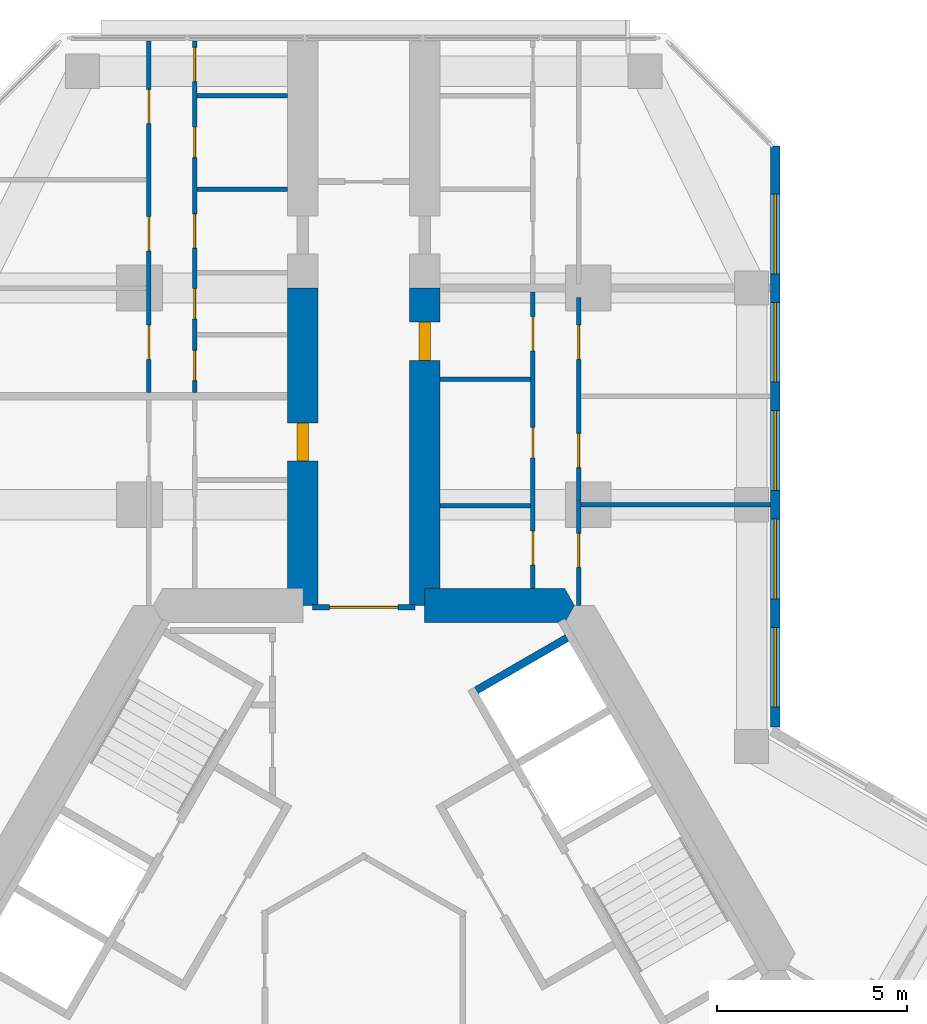
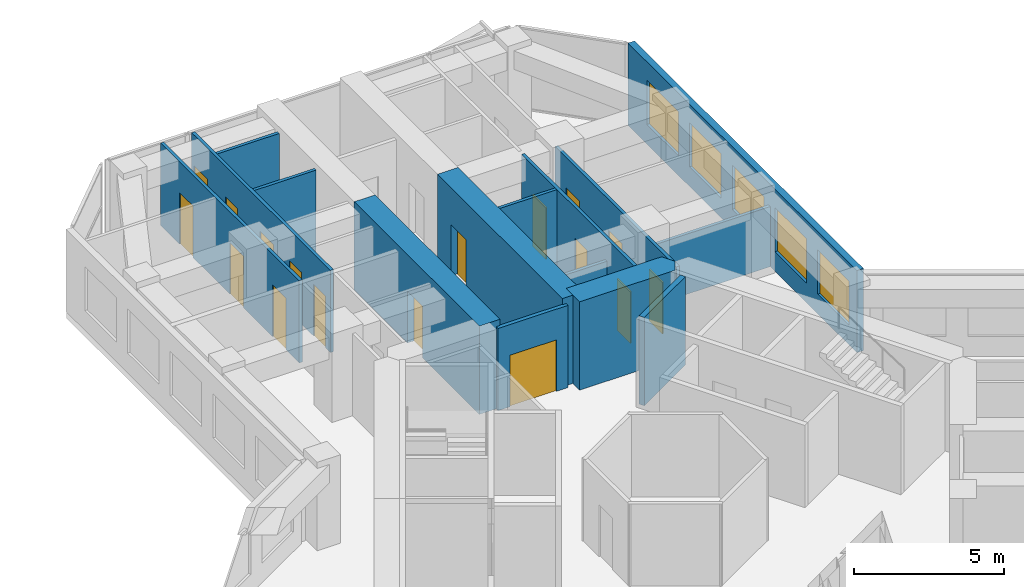
# One storey, part 17 of 19: 17 doors, 15 walls, 5 windows, 22 openings.
"""IFC4 building model written with IfcOpenShell, lengths in metres."""

from ifc_helpers import new_model, si_unit, direction, frame, frame_2d, origin, place, context, subcontext, project, spatial, polyline, rectangle, outline, extrude, material, layer, layer_set, type_object, element, fill, save


model = new_model("IFC4")

# Units and contexts
model_context = context("Model", 3, precision=1e-05, world=origin(), true_north=direction((0.0, 1.0)))
body_context = subcontext(model_context, "Body", "Model", "MODEL_VIEW")
ifc_project = project(units=[si_unit("LENGTHUNIT", "METRE"), si_unit("AREAUNIT", "SQUARE_METRE"), si_unit("VOLUMEUNIT", "CUBIC_METRE"), si_unit("PLANEANGLEUNIT", "RADIAN"), si_unit("MASSUNIT", "GRAM", prefix="KILO")], contexts=[model_context])

# Site, building, storey
site_placement = place(None, origin())
site = spatial("IfcSite", under=ifc_project, at=site_placement, CompositionType="ELEMENT")
building_placement = place(site_placement, origin())
building = spatial("IfcBuilding", under=site, at=building_placement, Name="Kosmar Iwan School Tower", CompositionType="ELEMENT")
storey_placement = place(building_placement, frame((0.0, 0.0, 165.199951171875)))
storey = spatial("IfcBuildingStorey", under=building, at=storey_placement, Name="L41", CompositionType="ELEMENT", Elevation=165.199951171875)

# Wall
ifc_material_1 = material(Name="Concrete C50/60", Category="concrete")
ifc_layer_1 = layer(ifc_material_1, 0.89990234375)
ifc_layer_set_1 = layer_set([ifc_layer_1], Name="Core wall 900")
wall_type_1 = type_object("IfcWallType", Name="Core wall 900", PredefinedType="SHEAR", material=ifc_layer_set_1)
wall_1_placement = place(storey_placement, origin())
element("IfcWall", 1, at=wall_1_placement, inside=storey, type_object=wall_type_1, Name="Core wall F090a", PredefinedType="SHEAR", context=body_context, shape_type="SweptSolid", body=[
    extrude(outline(polyline([(1.60009765625, 9.14990234375), (5.28271484375, 9.14990234375), (5.54248046875, 9.60009765625), (5.28271484375, 10.050048828125), (1.60009765625, 10.050048828125), (1.60009765625, 9.14990234375)])), origin(), (0.0, 0.0, 1.0), 3.60009765625),
])

# Wall, opening, door
ifc_material_2 = material(Name="Concrete C50/60", Category="concrete")
ifc_layer_2 = layer(ifc_material_2, 0.800048828125)
ifc_layer_set_2 = layer_set([ifc_layer_2], Name="Corridor buttress wall 800")
wall_type_2 = type_object("IfcWallType", Name="Corridor buttress wall 800", PredefinedType="SHEAR", material=ifc_layer_set_2)
wall_2_placement = place(storey_placement, frame((-1.60009765625, 9.60009765625, 0.0), z_axis=(0.0, 0.0, 1.0), x_axis=(0.0, 1.0, 0.0)))
wall_2 = element("IfcWall", 2, at=wall_2_placement, inside=storey, type_object=wall_type_2, Name="Corridor wall AL", PredefinedType="SHEAR", context=body_context, shape_type="SweptSolid", body=[
    extrude(rectangle(XDim=8.349853515625, YDim=0.800048828125, at=frame_2d((4.1748046875, 0.0))), origin(), (0.0, 0.0, 1.0), 3.60009765625),
])
opening_1_placement = place(wall_2_placement, frame((3.800048828125, 0.0, 0.0)))
opening_1 = element("IfcOpeningElement", 3, at=opening_1_placement, cuts=wall_2, Name="Opening D1", PredefinedType="OPENING", context=body_context, shape_type="SweptSolid", body=[
    extrude(rectangle(XDim=1.0, YDim=2.10009765625, at=frame_2d((0.5, 1.050048828125))), frame((0.0, 0.412109375, 0.0), z_axis=(0.0, -1.0, 0.0), x_axis=(1.0, 0.0, 0.0)), (0.0, 0.0, 1.0), 0.823974609375),
])
ifc_material_3 = material(Name="Timber fire door in steel frame", Category="steel")
door_type_1 = type_object("IfcDoorType", Name="Flat entrance door 1000x2100", OperationType="SINGLE_SWING_LEFT", PredefinedType="DOOR", material=ifc_material_3)
door_1_placement = place(opening_1_placement, origin())
door_1 = element("IfcDoor", 4, at=door_1_placement, inside=storey, type_object=door_type_1, Name="Flat L41-AL1 entrance door", OperationType="SINGLE_SWING_LEFT", OverallHeight=2.10009765625, OverallWidth=1.0, PredefinedType="DOOR", context=body_context, shape_type="SweptSolid", body=[
    extrude(rectangle(XDim=1.0, YDim=2.10009765625, at=frame_2d((0.5, 1.050048828125))), frame((0.0, 0.14990234375, 0.0), z_axis=(0.0, -1.0, 0.0), x_axis=(1.0, 0.0, 0.0)), (0.0, 0.0, 1.0), 0.300048828125),
])
fill(opening_1, door_1)

wall_3_placement = place(storey_placement, frame((1.60009765625, 9.60009765625, 0.0), z_axis=(0.0, 0.0, 1.0), x_axis=(0.0, 1.0, 0.0)))
wall_3 = element("IfcWall", 5, at=wall_3_placement, inside=storey, type_object=wall_type_2, Name="Corridor wall AR", PredefinedType="SHEAR", context=body_context, shape_type="SweptSolid", body=[
    extrude(rectangle(XDim=8.349853515625, YDim=0.800048828125, at=frame_2d((4.1748046875, 0.0))), origin(), (0.0, 0.0, 1.0), 3.60009765625),
])
opening_2_placement = place(wall_3_placement, frame((6.449951171875, 0.0, 0.0)))
opening_2 = element("IfcOpeningElement", 6, at=opening_2_placement, cuts=wall_3, Name="Opening D1", PredefinedType="OPENING", context=body_context, shape_type="SweptSolid", body=[
    extrude(rectangle(XDim=1.0, YDim=2.10009765625, at=frame_2d((0.5, 1.050048828125))), frame((0.0, 0.412109375, 0.0), z_axis=(0.0, -1.0, 0.0), x_axis=(1.0, 0.0, 0.0)), (0.0, 0.0, 1.0), 0.823974609375),
])
door_2_placement = place(opening_2_placement, origin())
door_2 = element("IfcDoor", 7, at=door_2_placement, inside=storey, type_object=door_type_1, Name="Flat L41-AR1 entrance door", OperationType="SINGLE_SWING_RIGHT", OverallHeight=2.10009765625, OverallWidth=1.0, PredefinedType="DOOR", context=body_context, shape_type="SweptSolid", body=[
    extrude(rectangle(XDim=1.0, YDim=2.10009765625, at=frame_2d((0.5, 1.050048828125))), frame((0.0, 0.14990234375, 0.0), z_axis=(0.0, -1.0, 0.0), x_axis=(1.0, 0.0, 0.0)), (0.0, 0.0, 1.0), 0.300048828125),
])
fill(opening_2, door_2)

ifc_material_4 = material(Name="Steel framed glazed screen", Category="steel")
ifc_layer_3 = layer(ifc_material_4, 0.14990234375)
ifc_layer_set_3 = layer_set([ifc_layer_3], Name="Corridor screen wall 150")
wall_type_3 = type_object("IfcWallType", Name="Corridor screen wall 150", PredefinedType="PARTITIONING", material=ifc_layer_set_3)
wall_4_placement = place(storey_placement, frame((1.35009765625, 9.550048828125, 0.0), z_axis=(0.0, 0.0, 1.0), x_axis=(-1.0, 0.0, 0.0)))
wall_4 = element("IfcWall", 8, at=wall_4_placement, inside=storey, type_object=wall_type_3, Name="Corridor screen A L41", PredefinedType="PARTITIONING", context=body_context, shape_type="SweptSolid", body=[
    extrude(rectangle(XDim=2.7001953125, YDim=0.14990234375, at=frame_2d((1.35009765625, 0.0))), origin(), (0.0, 0.0, 1.0), 3.35009765625),
])
opening_3_placement = place(wall_4_placement, frame((0.449951171875, 0.0, 0.0)))
opening_3 = element("IfcOpeningElement", 9, at=opening_3_placement, cuts=wall_4, Name="Opening D9", PredefinedType="OPENING", context=body_context, shape_type="SweptSolid", body=[
    extrude(rectangle(XDim=1.800048828125, YDim=2.10009765625, at=frame_2d((0.89990234375, 1.050048828125))), frame((0.0, 0.0869140625, 0.0), z_axis=(0.0, -1.0, 0.0), x_axis=(1.0, 0.0, 0.0)), (0.0, 0.0, 1.0), 0.173828125),
])
ifc_material_5 = material(Name="Steel framed glazed smoke door", Category="steel")
door_type_2 = type_object("IfcDoorType", Name="Corridor smoke door pair 1800x2100", OperationType="DOUBLE_DOOR_DOUBLE_SWING", PredefinedType="DOOR", material=ifc_material_5)
door_3_placement = place(opening_3_placement, origin())
door_3 = element("IfcDoor", 10, at=door_3_placement, inside=storey, type_object=door_type_2, Name="Corridor doors A L41", OperationType="DOUBLE_DOOR_DOUBLE_SWING", OverallHeight=2.10009765625, OverallWidth=1.800048828125, PredefinedType="DOOR", context=body_context, shape_type="SweptSolid", body=[
    extrude(rectangle(XDim=1.800048828125, YDim=2.10009765625, at=frame_2d((0.89990234375, 1.050048828125))), frame((0.0, 0.02490234375, 0.0), z_axis=(0.0, -1.0, 0.0), x_axis=(1.0, 0.0, 0.0)), (0.0, 0.0, 1.0), 0.050048828125),
])
fill(opening_3, door_3)

# Wall, openings, doors
ifc_material_6 = material(Name="Gypsum board on steel studs", Category="steel")
ifc_layer_4 = layer(ifc_material_6, 0.1201171875)
ifc_layer_set_4 = layer_set([ifc_layer_4], Name="Dwelling partition 120")
wall_type_4 = type_object("IfcWallType", Name="Dwelling partition 120", PredefinedType="PARTITIONING", material=ifc_layer_set_4)
wall_5_placement = place(storey_placement, frame((-4.449951171875, 15.199951171875, 0.0), z_axis=(0.0, 0.0, 1.0), x_axis=(0.0, 1.0, 0.0)))
wall_5 = element("IfcWall", 11, at=wall_5_placement, inside=storey, type_object=wall_type_4, Name="Partition L41-AL2-W1", PredefinedType="PARTITIONING", context=body_context, shape_type="SweptSolid", body=[
    extrude(rectangle(XDim=9.2451171875, YDim=0.1201171875, at=frame_2d((4.62255859375, 0.0))), origin(), (0.0, 0.0, 1.0), 3.35009765625),
])
opening_4_placement = place(wall_5_placement, frame((0.3125, 0.0, 0.0)))
opening_4 = element("IfcOpeningElement", 12, at=opening_4_placement, cuts=wall_5, Name="Opening D3", PredefinedType="OPENING", context=body_context, shape_type="SweptSolid", body=[
    extrude(rectangle(XDim=0.800048828125, YDim=2.10009765625, at=frame_2d((0.39990234375, 1.050048828125))), frame((0.0, 0.072021484375, 0.0), z_axis=(0.0, -1.0, 0.0), x_axis=(1.0, 0.0, 0.0)), (0.0, 0.0, 1.0), 0.14404296875),
])
opening_5_placement = place(wall_5_placement, frame((1.9375, 0.0, 0.0)))
opening_5 = element("IfcOpeningElement", 13, at=opening_5_placement, cuts=wall_5, Name="Opening D3", PredefinedType="OPENING", context=body_context, shape_type="SweptSolid", body=[
    extrude(rectangle(XDim=0.800048828125, YDim=2.10009765625, at=frame_2d((0.39990234375, 1.050048828125))), frame((0.0, 0.072021484375, 0.0), z_axis=(0.0, -1.0, 0.0), x_axis=(1.0, 0.0, 0.0)), (0.0, 0.0, 1.0), 0.14404296875),
])
opening_6_placement = place(wall_5_placement, frame((3.800048828125, 0.0, 0.0)))
opening_6 = element("IfcOpeningElement", 14, at=opening_6_placement, cuts=wall_5, Name="Opening D2", PredefinedType="OPENING", context=body_context, shape_type="SweptSolid", body=[
    extrude(rectangle(XDim=0.89990234375, YDim=2.10009765625, at=frame_2d((0.449951171875, 1.050048828125))), frame((0.0, 0.072021484375, 0.0), z_axis=(0.0, -1.0, 0.0), x_axis=(1.0, 0.0, 0.0)), (0.0, 0.0, 1.0), 0.14404296875),
])
opening_7_placement = place(wall_5_placement, frame((6.179931640625, 0.0, 0.0)))
opening_7 = element("IfcOpeningElement", 15, at=opening_7_placement, cuts=wall_5, Name="Opening D3", PredefinedType="OPENING", context=body_context, shape_type="SweptSolid", body=[
    extrude(rectangle(XDim=0.800048828125, YDim=2.10009765625, at=frame_2d((0.39990234375, 1.050048828125))), frame((0.0, 0.072021484375, 0.0), z_axis=(0.0, -1.0, 0.0), x_axis=(1.0, 0.0, 0.0)), (0.0, 0.0, 1.0), 0.14404296875),
])
opening_8_placement = place(wall_5_placement, frame((8.179931640625, 0.0, 0.0)))
opening_8 = element("IfcOpeningElement", 16, at=opening_8_placement, cuts=wall_5, Name="Opening D2", PredefinedType="OPENING", context=body_context, shape_type="SweptSolid", body=[
    extrude(rectangle(XDim=0.89990234375, YDim=2.10009765625, at=frame_2d((0.449951171875, 1.050048828125))), frame((0.0, 0.072021484375, 0.0), z_axis=(0.0, -1.0, 0.0), x_axis=(1.0, 0.0, 0.0)), (0.0, 0.0, 1.0), 0.14404296875),
])
ifc_material_7 = material(Name="Timber door in timber frame", Category="wood")
door_type_3 = type_object("IfcDoorType", Name="Internal door 900x2100", OperationType="SINGLE_SWING_LEFT", PredefinedType="DOOR", material=ifc_material_7)
door_4_placement = place(opening_6_placement, origin())
door_4 = element("IfcDoor", 17, at=door_4_placement, inside=storey, type_object=door_type_3, Name="Entrance hall door L41-AL2-S3", OperationType="SINGLE_SWING_LEFT", OverallHeight=2.10009765625, OverallWidth=0.89990234375, PredefinedType="DOOR", context=body_context, shape_type="SweptSolid", body=[
    extrude(rectangle(XDim=0.89990234375, YDim=2.10009765625, at=frame_2d((0.449951171875, 1.050048828125))), frame((0.0, 0.02490234375, 0.0), z_axis=(0.0, -1.0, 0.0), x_axis=(1.0, 0.0, 0.0)), (0.0, 0.0, 1.0), 0.050048828125),
])
fill(opening_6, door_4)
door_5_placement = place(opening_8_placement, origin())
door_5 = element("IfcDoor", 18, at=door_5_placement, inside=storey, type_object=door_type_3, Name="Pantry door L41-AL2-S5", OperationType="SINGLE_SWING_RIGHT", OverallHeight=2.10009765625, OverallWidth=0.89990234375, PredefinedType="DOOR", context=body_context, shape_type="SweptSolid", body=[
    extrude(rectangle(XDim=0.89990234375, YDim=2.10009765625, at=frame_2d((0.449951171875, 1.050048828125))), frame((0.0, 0.02490234375, 0.0), z_axis=(0.0, -1.0, 0.0), x_axis=(1.0, 0.0, 0.0)), (0.0, 0.0, 1.0), 0.050048828125),
])
fill(opening_8, door_5)
ifc_material_8 = material(Name="Timber door in timber frame", Category="wood")
door_type_4 = type_object("IfcDoorType", Name="Sanitary room door 800x2100", OperationType="SINGLE_SWING_LEFT", PredefinedType="DOOR", material=ifc_material_8)
door_6_placement = place(opening_4_placement, origin())
door_6 = element("IfcDoor", 19, at=door_6_placement, inside=storey, type_object=door_type_4, Name="WC door L41-AL2-S1", OperationType="SINGLE_SWING_LEFT", OverallHeight=2.10009765625, OverallWidth=0.800048828125, PredefinedType="DOOR", context=body_context, shape_type="SweptSolid", body=[
    extrude(rectangle(XDim=0.800048828125, YDim=2.10009765625, at=frame_2d((0.39990234375, 1.050048828125))), frame((0.0, 0.02490234375, 0.0), z_axis=(0.0, -1.0, 0.0), x_axis=(1.0, 0.0, 0.0)), (0.0, 0.0, 1.0), 0.050048828125),
])
fill(opening_4, door_6)
door_7_placement = place(opening_5_placement, origin())
door_7 = element("IfcDoor", 20, at=door_7_placement, inside=storey, type_object=door_type_4, Name="Shower room door L41-AL2-S2", OperationType="SINGLE_SWING_LEFT", OverallHeight=2.10009765625, OverallWidth=0.800048828125, PredefinedType="DOOR", context=body_context, shape_type="SweptSolid", body=[
    extrude(rectangle(XDim=0.800048828125, YDim=2.10009765625, at=frame_2d((0.39990234375, 1.050048828125))), frame((0.0, 0.02490234375, 0.0), z_axis=(0.0, -1.0, 0.0), x_axis=(1.0, 0.0, 0.0)), (0.0, 0.0, 1.0), 0.050048828125),
])
fill(opening_5, door_7)
door_8_placement = place(opening_7_placement, origin())
door_8 = element("IfcDoor", 21, at=door_8_placement, inside=storey, type_object=door_type_4, Name="Bathroom door L41-AL2-S4", OperationType="SINGLE_SWING_RIGHT", OverallHeight=2.10009765625, OverallWidth=0.800048828125, PredefinedType="DOOR", context=body_context, shape_type="SweptSolid", body=[
    extrude(rectangle(XDim=0.800048828125, YDim=2.10009765625, at=frame_2d((0.39990234375, 1.050048828125))), frame((0.0, 0.02490234375, 0.0), z_axis=(0.0, -1.0, 0.0), x_axis=(1.0, 0.0, 0.0)), (0.0, 0.0, 1.0), 0.050048828125),
])
fill(opening_7, door_8)

wall_6_placement = place(storey_placement, frame((-5.64990234375, 15.199951171875, 0.0), z_axis=(0.0, 0.0, 1.0), x_axis=(0.0, 1.0, 0.0)))
wall_6 = element("IfcWall", 22, at=wall_6_placement, inside=storey, type_object=wall_type_4, Name="Partition L41-AL2-W2", PredefinedType="PARTITIONING", context=body_context, shape_type="SweptSolid", body=[
    extrude(rectangle(XDim=9.2451171875, YDim=0.1201171875, at=frame_2d((4.62255859375, 0.0))), origin(), (0.0, 0.0, 1.0), 3.35009765625),
])
opening_9_placement = place(wall_6_placement, frame((0.875, 0.0, 0.0)))
opening_9 = element("IfcOpeningElement", 23, at=opening_9_placement, cuts=wall_6, Name="Opening D2", PredefinedType="OPENING", context=body_context, shape_type="SweptSolid", body=[
    extrude(rectangle(XDim=0.89990234375, YDim=2.10009765625, at=frame_2d((0.449951171875, 1.050048828125))), frame((0.0, 0.072021484375, 0.0), z_axis=(0.0, -1.0, 0.0), x_axis=(1.0, 0.0, 0.0)), (0.0, 0.0, 1.0), 0.14404296875),
])
opening_10_placement = place(wall_6_placement, frame((3.72509765625, 0.0, 0.0)))
opening_10 = element("IfcOpeningElement", 24, at=opening_10_placement, cuts=wall_6, Name="Opening D2", PredefinedType="OPENING", context=body_context, shape_type="SweptSolid", body=[
    extrude(rectangle(XDim=0.89990234375, YDim=2.10009765625, at=frame_2d((0.449951171875, 1.050048828125))), frame((0.0, 0.072021484375, 0.0), z_axis=(0.0, -1.0, 0.0), x_axis=(1.0, 0.0, 0.0)), (0.0, 0.0, 1.0), 0.14404296875),
])
opening_11_placement = place(wall_6_placement, frame((7.074951171875, 0.0, 0.0)))
opening_11 = element("IfcOpeningElement", 25, at=opening_11_placement, cuts=wall_6, Name="Opening D2", PredefinedType="OPENING", context=body_context, shape_type="SweptSolid", body=[
    extrude(rectangle(XDim=0.89990234375, YDim=2.10009765625, at=frame_2d((0.449951171875, 1.050048828125))), frame((0.0, 0.072021484375, 0.0), z_axis=(0.0, -1.0, 0.0), x_axis=(1.0, 0.0, 0.0)), (0.0, 0.0, 1.0), 0.14404296875),
])
door_9_placement = place(opening_9_placement, origin())
door_9 = element("IfcDoor", 26, at=door_9_placement, inside=storey, type_object=door_type_3, Name="Bedroom 1 door L41-AL2-F1", OperationType="SINGLE_SWING_LEFT", OverallHeight=2.10009765625, OverallWidth=0.89990234375, PredefinedType="DOOR", context=body_context, shape_type="SweptSolid", body=[
    extrude(rectangle(XDim=0.89990234375, YDim=2.10009765625, at=frame_2d((0.449951171875, 1.050048828125))), frame((0.0, 0.02490234375, 0.0), z_axis=(0.0, -1.0, 0.0), x_axis=(1.0, 0.0, 0.0)), (0.0, 0.0, 1.0), 0.050048828125),
])
fill(opening_9, door_9)
door_10_placement = place(opening_10_placement, origin())
door_10 = element("IfcDoor", 27, at=door_10_placement, inside=storey, type_object=door_type_3, Name="Family room and kitchen door L41-AL2-F2", OperationType="SINGLE_SWING_RIGHT", OverallHeight=2.10009765625, OverallWidth=0.89990234375, PredefinedType="DOOR", context=body_context, shape_type="SweptSolid", body=[
    extrude(rectangle(XDim=0.89990234375, YDim=2.10009765625, at=frame_2d((0.449951171875, 1.050048828125))), frame((0.0, 0.02490234375, 0.0), z_axis=(0.0, -1.0, 0.0), x_axis=(1.0, 0.0, 0.0)), (0.0, 0.0, 1.0), 0.050048828125),
])
fill(opening_10, door_10)
door_11_placement = place(opening_11_placement, origin())
door_11 = element("IfcDoor", 28, at=door_11_placement, inside=storey, type_object=door_type_3, Name="Bedroom 2 door L41-AL2-F3", OperationType="SINGLE_SWING_RIGHT", OverallHeight=2.10009765625, OverallWidth=0.89990234375, PredefinedType="DOOR", context=body_context, shape_type="SweptSolid", body=[
    extrude(rectangle(XDim=0.89990234375, YDim=2.10009765625, at=frame_2d((0.449951171875, 1.050048828125))), frame((0.0, 0.02490234375, 0.0), z_axis=(0.0, -1.0, 0.0), x_axis=(1.0, 0.0, 0.0)), (0.0, 0.0, 1.0), 0.050048828125),
])
fill(opening_11, door_11)

# Walls
for number, where, z_axis, x_axis, name in (
    (29, (-2.0, 20.550048828125, 0.0), (0.0, 0.0, 1.0), (-1.0, 0.0, 0.0), "Partition L41-AL2-Y3"),
    (30, (-2.0, 23.010009765625, 0.0), (0.0, 0.0, 1.0), (-1.0, 0.0, 0.0), "Partition L41-AL2-Y4"),
):
    element("IfcWall", number, at=place(storey_placement, frame(where, z_axis=z_axis, x_axis=x_axis)), inside=storey, type_object=wall_type_4, Name=name, PredefinedType="PARTITIONING", context=body_context, shape_type="SweptSolid", body=[
        extrude(rectangle(XDim=2.389892578125, YDim=0.1201171875, at=frame_2d((1.19482421875, 0.0))), origin(), (0.0, 0.0, 1.0), 3.35009765625),
    ])

# Wall, openings, doors
wall_7_placement = place(storey_placement, frame((4.449951171875, 10.050048828125, 0.0), z_axis=(0.0, 0.0, 1.0), x_axis=(0.0, 1.0, 0.0)))
wall_7 = element("IfcWall", 31, at=wall_7_placement, inside=storey, type_object=wall_type_4, Name="Partition L41-AR1-W1", PredefinedType="PARTITIONING", context=body_context, shape_type="SweptSolid", body=[
    extrude(rectangle(XDim=7.800048828125, YDim=0.1201171875, at=frame_2d((3.89990234375, 0.0))), origin(), (0.0, 0.0, 1.0), 3.35009765625),
])
opening_12_placement = place(wall_7_placement, frame((0.610107421875, 0.0, 0.0)))
opening_12 = element("IfcOpeningElement", 32, at=opening_12_placement, cuts=wall_7, Name="Opening D2", PredefinedType="OPENING", context=body_context, shape_type="SweptSolid", body=[
    extrude(rectangle(XDim=0.89990234375, YDim=2.10009765625, at=frame_2d((0.449951171875, 1.050048828125))), frame((0.0, 0.072021484375, 0.0), z_axis=(0.0, -1.0, 0.0), x_axis=(1.0, 0.0, 0.0)), (0.0, 0.0, 1.0), 0.14404296875),
])
opening_13_placement = place(wall_7_placement, frame((3.43505859375, 0.0, 0.0)))
opening_13 = element("IfcOpeningElement", 33, at=opening_13_placement, cuts=wall_7, Name="Opening D3", PredefinedType="OPENING", context=body_context, shape_type="SweptSolid", body=[
    extrude(rectangle(XDim=0.800048828125, YDim=2.10009765625, at=frame_2d((0.39990234375, 1.050048828125))), frame((0.0, 0.072021484375, 0.0), z_axis=(0.0, -1.0, 0.0), x_axis=(1.0, 0.0, 0.0)), (0.0, 0.0, 1.0), 0.14404296875),
])
opening_14_placement = place(wall_7_placement, frame((6.25, 0.0, 0.0)))
opening_14 = element("IfcOpeningElement", 34, at=opening_14_placement, cuts=wall_7, Name="Opening D2", PredefinedType="OPENING", context=body_context, shape_type="SweptSolid", body=[
    extrude(rectangle(XDim=0.89990234375, YDim=2.10009765625, at=frame_2d((0.449951171875, 1.050048828125))), frame((0.0, 0.072021484375, 0.0), z_axis=(0.0, -1.0, 0.0), x_axis=(1.0, 0.0, 0.0)), (0.0, 0.0, 1.0), 0.14404296875),
])
door_12_placement = place(opening_12_placement, origin())
door_12 = element("IfcDoor", 35, at=door_12_placement, inside=storey, type_object=door_type_3, Name="Pantry door L41-AR1-S1", OperationType="SINGLE_SWING_LEFT", OverallHeight=2.10009765625, OverallWidth=0.89990234375, PredefinedType="DOOR", context=body_context, shape_type="SweptSolid", body=[
    extrude(rectangle(XDim=0.89990234375, YDim=2.10009765625, at=frame_2d((0.449951171875, 1.050048828125))), frame((0.0, 0.02490234375, 0.0), z_axis=(0.0, -1.0, 0.0), x_axis=(1.0, 0.0, 0.0)), (0.0, 0.0, 1.0), 0.050048828125),
])
fill(opening_12, door_12)
door_13_placement = place(opening_14_placement, origin())
door_13 = element("IfcDoor", 36, at=door_13_placement, inside=storey, type_object=door_type_3, Name="Entrance hall door L41-AR1-S3", OperationType="SINGLE_SWING_RIGHT", OverallHeight=2.10009765625, OverallWidth=0.89990234375, PredefinedType="DOOR", context=body_context, shape_type="SweptSolid", body=[
    extrude(rectangle(XDim=0.89990234375, YDim=2.10009765625, at=frame_2d((0.449951171875, 1.050048828125))), frame((0.0, 0.02490234375, 0.0), z_axis=(0.0, -1.0, 0.0), x_axis=(1.0, 0.0, 0.0)), (0.0, 0.0, 1.0), 0.050048828125),
])
fill(opening_14, door_13)
door_14_placement = place(opening_13_placement, origin())
door_14 = element("IfcDoor", 37, at=door_14_placement, inside=storey, type_object=door_type_4, Name="Bathroom door L41-AR1-S2", OperationType="SINGLE_SWING_RIGHT", OverallHeight=2.10009765625, OverallWidth=0.800048828125, PredefinedType="DOOR", context=body_context, shape_type="SweptSolid", body=[
    extrude(rectangle(XDim=0.800048828125, YDim=2.10009765625, at=frame_2d((0.39990234375, 1.050048828125))), frame((0.0, 0.02490234375, 0.0), z_axis=(0.0, -1.0, 0.0), x_axis=(1.0, 0.0, 0.0)), (0.0, 0.0, 1.0), 0.050048828125),
])
fill(opening_13, door_14)

wall_8_placement = place(storey_placement, frame((5.64990234375, 9.60009765625, 0.0), z_axis=(0.0, 0.0, 1.0), x_axis=(0.0, 1.0, 0.0)))
wall_8 = element("IfcWall", 38, at=wall_8_placement, inside=storey, type_object=wall_type_4, Name="Partition L41-AR1-W2", PredefinedType="PARTITIONING", context=body_context, shape_type="SweptSolid", body=[
    extrude(rectangle(XDim=8.099853515625, YDim=0.1201171875, at=frame_2d((4.0498046875, 0.0))), origin(), (0.0, 0.0, 1.0), 3.35009765625),
])
opening_15_placement = place(wall_8_placement, frame((1.0, 0.0, 0.0)))
opening_15 = element("IfcOpeningElement", 39, at=opening_15_placement, cuts=wall_8, Name="Opening D2", PredefinedType="OPENING", context=body_context, shape_type="SweptSolid", body=[
    extrude(rectangle(XDim=0.89990234375, YDim=2.10009765625, at=frame_2d((0.449951171875, 1.050048828125))), frame((0.0, 0.072021484375, 0.0), z_axis=(0.0, -1.0, 0.0), x_axis=(1.0, 0.0, 0.0)), (0.0, 0.0, 1.0), 0.14404296875),
])
opening_16_placement = place(wall_8_placement, frame((3.625, 0.0, 0.0)))
opening_16 = element("IfcOpeningElement", 40, at=opening_16_placement, cuts=wall_8, Name="Opening D2", PredefinedType="OPENING", context=body_context, shape_type="SweptSolid", body=[
    extrude(rectangle(XDim=0.89990234375, YDim=2.10009765625, at=frame_2d((0.449951171875, 1.050048828125))), frame((0.0, 0.072021484375, 0.0), z_axis=(0.0, -1.0, 0.0), x_axis=(1.0, 0.0, 0.0)), (0.0, 0.0, 1.0), 0.14404296875),
])
opening_17_placement = place(wall_8_placement, frame((6.47509765625, 0.0, 0.0)))
opening_17 = element("IfcOpeningElement", 41, at=opening_17_placement, cuts=wall_8, Name="Opening D2", PredefinedType="OPENING", context=body_context, shape_type="SweptSolid", body=[
    extrude(rectangle(XDim=0.89990234375, YDim=2.10009765625, at=frame_2d((0.449951171875, 1.050048828125))), frame((0.0, 0.072021484375, 0.0), z_axis=(0.0, -1.0, 0.0), x_axis=(1.0, 0.0, 0.0)), (0.0, 0.0, 1.0), 0.14404296875),
])
door_15_placement = place(opening_15_placement, origin())
door_15 = element("IfcDoor", 42, at=door_15_placement, inside=storey, type_object=door_type_3, Name="Family room and kitchen door L41-AR1-F1", OperationType="SINGLE_SWING_LEFT", OverallHeight=2.10009765625, OverallWidth=0.89990234375, PredefinedType="DOOR", context=body_context, shape_type="SweptSolid", body=[
    extrude(rectangle(XDim=0.89990234375, YDim=2.10009765625, at=frame_2d((0.449951171875, 1.050048828125))), frame((0.0, 0.02490234375, 0.0), z_axis=(0.0, -1.0, 0.0), x_axis=(1.0, 0.0, 0.0)), (0.0, 0.0, 1.0), 0.050048828125),
])
fill(opening_15, door_15)
door_16_placement = place(opening_16_placement, origin())
door_16 = element("IfcDoor", 43, at=door_16_placement, inside=storey, type_object=door_type_3, Name="Study door L41-AR1-F2", OperationType="SINGLE_SWING_LEFT", OverallHeight=2.10009765625, OverallWidth=0.89990234375, PredefinedType="DOOR", context=body_context, shape_type="SweptSolid", body=[
    extrude(rectangle(XDim=0.89990234375, YDim=2.10009765625, at=frame_2d((0.449951171875, 1.050048828125))), frame((0.0, 0.02490234375, 0.0), z_axis=(0.0, -1.0, 0.0), x_axis=(1.0, 0.0, 0.0)), (0.0, 0.0, 1.0), 0.050048828125),
])
fill(opening_16, door_16)
door_17_placement = place(opening_17_placement, origin())
door_17 = element("IfcDoor", 44, at=door_17_placement, inside=storey, type_object=door_type_3, Name="Bedroom 1 door L41-AR1-F3", OperationType="SINGLE_SWING_RIGHT", OverallHeight=2.10009765625, OverallWidth=0.89990234375, PredefinedType="DOOR", context=body_context, shape_type="SweptSolid", body=[
    extrude(rectangle(XDim=0.89990234375, YDim=2.10009765625, at=frame_2d((0.449951171875, 1.050048828125))), frame((0.0, 0.02490234375, 0.0), z_axis=(0.0, -1.0, 0.0), x_axis=(1.0, 0.0, 0.0)), (0.0, 0.0, 1.0), 0.050048828125),
])
fill(opening_17, door_17)

# Walls
wall_9_placement = place(storey_placement, frame((5.7099609375, 12.25, 0.0), z_axis=(0.0, 0.0, 1.0), x_axis=(1.0, 0.0, 0.0)))
element("IfcWall", 45, at=wall_9_placement, inside=storey, type_object=wall_type_4, Name="Partition L41-AR1-X1", PredefinedType="PARTITIONING", context=body_context, shape_type="SweptSolid", body=[
    extrude(rectangle(XDim=4.989990234375, YDim=0.1201171875, at=frame_2d((2.4951171875, 0.0))), origin(), (0.0, 0.0, 1.0), 2.449951171875),
])
wall_10_placement = place(storey_placement, frame((2.0, 12.219970703125, 0.0), z_axis=(0.0, 0.0, 1.0), x_axis=(1.0, 0.0, 0.0)))
element("IfcWall", 46, at=wall_10_placement, inside=storey, type_object=wall_type_4, Name="Partition L41-AR1-Y1", PredefinedType="PARTITIONING", context=body_context, shape_type="SweptSolid", body=[
    extrude(rectangle(XDim=2.389892578125, YDim=0.1201171875, at=frame_2d((1.19482421875, 0.0))), origin(), (0.0, 0.0, 1.0), 2.449951171875),
])
wall_11_placement = place(storey_placement, frame((2.0, 15.550048828125, 0.0), z_axis=(0.0, 0.0, 1.0), x_axis=(1.0, 0.0, 0.0)))
element("IfcWall", 47, at=wall_11_placement, inside=storey, type_object=wall_type_4, Name="Partition L41-AR1-Y2", PredefinedType="PARTITIONING", context=body_context, shape_type="SweptSolid", body=[
    extrude(rectangle(XDim=2.389892578125, YDim=0.1201171875, at=frame_2d((1.19482421875, 0.0))), origin(), (0.0, 0.0, 1.0), 3.35009765625),
])

# Wall, openings, windows
ifc_material_9 = material(Name="Black aluminium rainscreen on insulated framing", Category="aluminium")
ifc_layer_5 = layer(ifc_material_9, 0.25)
ifc_layer_set_5 = layer_set([ifc_layer_5], Name="External wall rainscreen 250")
wall_type_5 = type_object("IfcWallType", Name="External wall rainscreen 250", PredefinedType="SOLIDWALL", material=ifc_layer_set_5)
wall_12_placement = place(storey_placement, frame((10.824951171875, 6.408935546875, 0.0), z_axis=(0.0, 0.0, 1.0), x_axis=(0.0, 1.0, 0.0)))
wall_12 = element("IfcWall", 48, at=wall_12_placement, inside=storey, type_object=wall_type_5, Name="External wall AR L41", PredefinedType="SOLIDWALL", context=body_context, shape_type="SweptSolid", body=[
    extrude(rectangle(XDim=15.2763671875, YDim=0.25, at=frame_2d((7.63818359375, 0.0))), origin(), (0.0, 0.0, 1.0), 3.35009765625),
])
opening_18_placement = place(wall_12_placement, frame((0.51611328125, 0.0, 0.800048828125)))
opening_18 = element("IfcOpeningElement", 49, at=opening_18_placement, cuts=wall_12, Name="Opening W4", PredefinedType="OPENING", context=body_context, shape_type="SweptSolid", body=[
    extrude(rectangle(XDim=2.10009765625, YDim=1.800048828125, at=frame_2d((1.050048828125, 0.89990234375))), frame((0.0, 0.136962890625, 0.0), z_axis=(0.0, -1.0, 0.0), x_axis=(1.0, 0.0, 0.0)), (0.0, 0.0, 1.0), 0.27392578125),
])
opening_19_placement = place(wall_12_placement, frame((3.365966796875, 0.0, 0.800048828125)))
opening_19 = element("IfcOpeningElement", 50, at=opening_19_placement, cuts=wall_12, Name="Opening W4", PredefinedType="OPENING", context=body_context, shape_type="SweptSolid", body=[
    extrude(rectangle(XDim=2.10009765625, YDim=1.800048828125, at=frame_2d((1.050048828125, 0.89990234375))), frame((0.0, 0.136962890625, 0.0), z_axis=(0.0, -1.0, 0.0), x_axis=(1.0, 0.0, 0.0)), (0.0, 0.0, 1.0), 0.27392578125),
])
opening_20_placement = place(wall_12_placement, frame((6.216064453125, 0.0, 0.800048828125)))
opening_20 = element("IfcOpeningElement", 51, at=opening_20_placement, cuts=wall_12, Name="Opening W4", PredefinedType="OPENING", context=body_context, shape_type="SweptSolid", body=[
    extrude(rectangle(XDim=2.10009765625, YDim=1.800048828125, at=frame_2d((1.050048828125, 0.89990234375))), frame((0.0, 0.136962890625, 0.0), z_axis=(0.0, -1.0, 0.0), x_axis=(1.0, 0.0, 0.0)), (0.0, 0.0, 1.0), 0.27392578125),
])
opening_21_placement = place(wall_12_placement, frame((9.06591796875, 0.0, 0.800048828125)))
opening_21 = element("IfcOpeningElement", 52, at=opening_21_placement, cuts=wall_12, Name="Opening W4", PredefinedType="OPENING", context=body_context, shape_type="SweptSolid", body=[
    extrude(rectangle(XDim=2.10009765625, YDim=1.800048828125, at=frame_2d((1.050048828125, 0.89990234375))), frame((0.0, 0.136962890625, 0.0), z_axis=(0.0, -1.0, 0.0), x_axis=(1.0, 0.0, 0.0)), (0.0, 0.0, 1.0), 0.27392578125),
])
opening_22_placement = place(wall_12_placement, frame((11.916015625, 0.0, 0.800048828125)))
opening_22 = element("IfcOpeningElement", 53, at=opening_22_placement, cuts=wall_12, Name="Opening W4", PredefinedType="OPENING", context=body_context, shape_type="SweptSolid", body=[
    extrude(rectangle(XDim=2.10009765625, YDim=1.800048828125, at=frame_2d((1.050048828125, 0.89990234375))), frame((0.0, 0.136962890625, 0.0), z_axis=(0.0, -1.0, 0.0), x_axis=(1.0, 0.0, 0.0)), (0.0, 0.0, 1.0), 0.27392578125),
])
ifc_material_10 = material(Name="Black aluminium frame with dark triple glazing", Category="aluminium")
window_type = type_object("IfcWindowType", Name="Window 2100x1800", PartitioningType="SINGLE_PANEL", PredefinedType="WINDOW", material=ifc_material_10)
window_1_placement = place(opening_18_placement, origin())
window_1 = element("IfcWindow", 54, at=window_1_placement, inside=storey, type_object=window_type, Name="Window AR L41 -1", OverallHeight=1.800048828125, OverallWidth=2.10009765625, PartitioningType="SINGLE_PANEL", PredefinedType="WINDOW", context=body_context, shape_type="SweptSolid", body=[
    extrude(rectangle(XDim=2.10009765625, YDim=1.800048828125, at=frame_2d((1.050048828125, 0.89990234375))), frame((0.0, 0.030029296875, 0.0), z_axis=(0.0, -1.0, 0.0), x_axis=(1.0, 0.0, 0.0)), (0.0, 0.0, 1.0), 0.06005859375),
])
fill(opening_18, window_1)
window_2_placement = place(opening_19_placement, origin())
window_2 = element("IfcWindow", 55, at=window_2_placement, inside=storey, type_object=window_type, Name="Window AR L41 0", OverallHeight=1.800048828125, OverallWidth=2.10009765625, PartitioningType="SINGLE_PANEL", PredefinedType="WINDOW", context=body_context, shape_type="SweptSolid", body=[
    extrude(rectangle(XDim=2.10009765625, YDim=1.800048828125, at=frame_2d((1.050048828125, 0.89990234375))), frame((0.0, 0.030029296875, 0.0), z_axis=(0.0, -1.0, 0.0), x_axis=(1.0, 0.0, 0.0)), (0.0, 0.0, 1.0), 0.06005859375),
])
fill(opening_19, window_2)
window_3_placement = place(opening_20_placement, origin())
window_3 = element("IfcWindow", 56, at=window_3_placement, inside=storey, type_object=window_type, Name="Window AR L41 1", OverallHeight=1.800048828125, OverallWidth=2.10009765625, PartitioningType="SINGLE_PANEL", PredefinedType="WINDOW", context=body_context, shape_type="SweptSolid", body=[
    extrude(rectangle(XDim=2.10009765625, YDim=1.800048828125, at=frame_2d((1.050048828125, 0.89990234375))), frame((0.0, 0.030029296875, 0.0), z_axis=(0.0, -1.0, 0.0), x_axis=(1.0, 0.0, 0.0)), (0.0, 0.0, 1.0), 0.06005859375),
])
fill(opening_20, window_3)
window_4_placement = place(opening_21_placement, origin())
window_4 = element("IfcWindow", 57, at=window_4_placement, inside=storey, type_object=window_type, Name="Window AR L41 2", OverallHeight=1.800048828125, OverallWidth=2.10009765625, PartitioningType="SINGLE_PANEL", PredefinedType="WINDOW", context=body_context, shape_type="SweptSolid", body=[
    extrude(rectangle(XDim=2.10009765625, YDim=1.800048828125, at=frame_2d((1.050048828125, 0.89990234375))), frame((0.0, 0.030029296875, 0.0), z_axis=(0.0, -1.0, 0.0), x_axis=(1.0, 0.0, 0.0)), (0.0, 0.0, 1.0), 0.06005859375),
])
fill(opening_21, window_4)
window_5_placement = place(opening_22_placement, origin())
window_5 = element("IfcWindow", 58, at=window_5_placement, inside=storey, type_object=window_type, Name="Window AR L41 3", OverallHeight=1.800048828125, OverallWidth=2.10009765625, PartitioningType="SINGLE_PANEL", PredefinedType="WINDOW", context=body_context, shape_type="SweptSolid", body=[
    extrude(rectangle(XDim=2.10009765625, YDim=1.800048828125, at=frame_2d((1.050048828125, 0.89990234375))), frame((0.0, 0.030029296875, 0.0), z_axis=(0.0, -1.0, 0.0), x_axis=(1.0, 0.0, 0.0)), (0.0, 0.0, 1.0), 0.06005859375),
])
fill(opening_22, window_5)

# Wall
ifc_material_11 = material(Name="Concrete C50/60", Category="concrete")
ifc_layer_6 = layer(ifc_material_11, 0.199951171875)
ifc_layer_set_6 = layer_set([ifc_layer_6], Name="Lift shaft wall 200")
wall_type_6 = type_object("IfcWallType", Name="Lift shaft wall 200", PredefinedType="SHEAR", material=ifc_layer_set_6)
wall_13_placement = place(storey_placement, frame((2.962646484375, 7.368408203125, 0.0), z_axis=(0.0, 0.0, 1.0), x_axis=(0.866027397988, 0.499996545922, 0.0)))
element("IfcWall", 59, at=wall_13_placement, inside=storey, type_object=wall_type_6, Name="Lift shaft wall AC 2", PredefinedType="SHEAR", context=body_context, shape_type="SweptSolid", body=[
    extrude(rectangle(XDim=2.75, YDim=0.199951171875, at=frame_2d((1.375, 0.0))), origin(), (0.0, 0.0, 1.0), 3.60009765625),
])

save(model, "model.ifc")
